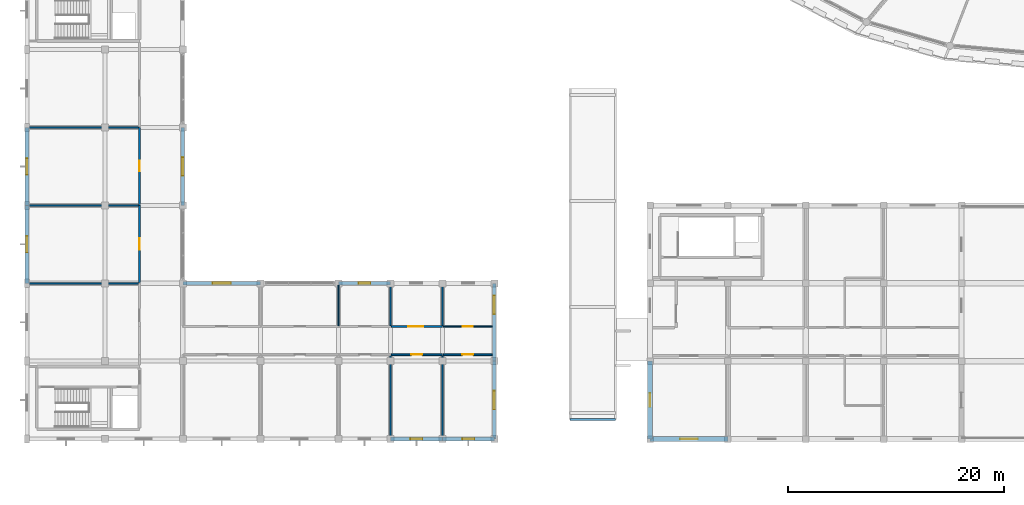
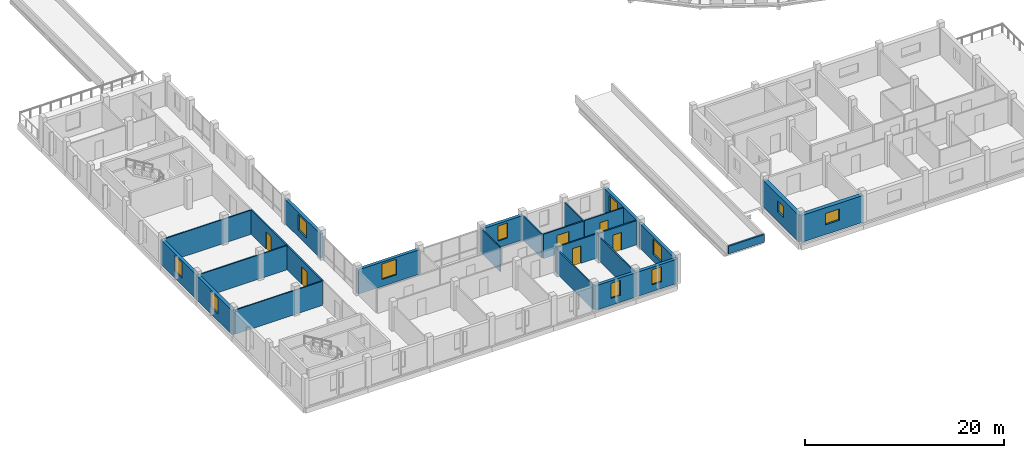
# One storey, part 72 of 93: 26 walls, 11 windows, 6 doors, 17 openings.
"""IFC4 building model written with IfcOpenShell, lengths in metres."""

import ifcopenshell
import ifcopenshell.guid

model = None  # the IFC model being written
_history = None  # IfcOwnerHistory: only IFC2X3 demands one
_inside = {}  # id of a spatial element -> (the spatial element, [elements in it])
_under = {}  # id of a project, library or spatial element -> (it, [spatial elements below it])
_declared = {}  # id of a project -> (the project, [libraries it declares])
_typed = {}  # id of a type object -> (the type object, [elements of that type])
_made_of = {}  # id of a material, layer set ... -> (it, [elements and type objects made of it])


def new_model(schema):
    """Start an empty IFC model of exactly this schema.

    Asked for "IFC4X3", IfcOpenShell would pick the latest addendum, in which some entities
    have other attributes; the version numbers below select the first issue.
    IFC2X3 requires an IfcOwnerHistory on every rooted entity: one is made here for all.
    """
    global model, _history
    if schema == "IFC4X3":
        model = ifcopenshell.file(schema_version=(4, 3, 0, 0))
    else:
        model = ifcopenshell.file(schema=schema)
    _inside.clear()
    _under.clear()
    _declared.clear()
    _typed.clear()
    _made_of.clear()
    _history = None
    if model.schema == "IFC2X3":
        org = make("IfcOrganization", Name="unknown")
        user = make(
            "IfcPersonAndOrganization",
            ThePerson=make("IfcPerson", FamilyName="unknown"),
            TheOrganization=org,
        )
        app = make(
            "IfcApplication",
            ApplicationDeveloper=org,
            Version="unknown",
            ApplicationFullName="unknown",
            ApplicationIdentifier="unknown",
        )
        _history = make(
            "IfcOwnerHistory",
            OwningUser=user,
            OwningApplication=app,
            ChangeAction="ADDED",
            CreationDate=0,
        )
    return model


def make(cls, **values):
    """One entity of the class cls with the attributes given. An attribute that is None is left unset."""
    return model.create_entity(
        cls, **{name: value for name, value in values.items() if value is not None}
    )


def rooted(cls, **values):
    """An entity with a GlobalId (a new one), such as an element, a storey or a relation."""
    return make(cls, GlobalId=ifcopenshell.guid.new(), OwnerHistory=_history, **values)


def si_unit(unit_type, name, prefix=None):
    """IfcSIUnit, for example si_unit("LENGTHUNIT", "METRE", prefix="MILLI")."""
    return make("IfcSIUnit", UnitType=unit_type, Prefix=prefix, Name=name)


def assignment(units):
    """IfcUnitAssignment: the units of a project."""
    return None if units is None else make("IfcUnitAssignment", Units=units)


def point(xyz):
    """IfcCartesianPoint."""
    return None if xyz is None else make("IfcCartesianPoint", Coordinates=xyz)


def direction(xyz):
    """IfcDirection."""
    return None if xyz is None else make("IfcDirection", DirectionRatios=xyz)


def frame(location, z_axis=None, x_axis=None):
    """IfcAxis2Placement3D, a coordinate frame: its origin and axes. An axis left out is left unset."""
    return make(
        "IfcAxis2Placement3D",
        Location=point(location),
        Axis=direction(z_axis),
        RefDirection=direction(x_axis),
    )


def frame_2d(location, x_axis=None):
    """IfcAxis2Placement2D, a coordinate frame in the plane: its origin and x axis."""
    return make(
        "IfcAxis2Placement2D", Location=point(location), RefDirection=direction(x_axis)
    )


def origin():
    """The frame at (0, 0, 0) with its axes left unset."""
    return frame((0.0, 0.0, 0.0))


def place(relative_to, where):
    """IfcLocalPlacement: puts the frame where relative to a parent placement (None: the world)."""
    return make(
        "IfcLocalPlacement", PlacementRelTo=relative_to, RelativePlacement=where
    )


def context(
    kind, dimensions, precision=None, world=None, true_north=None, identifier=None
):
    """IfcGeometricRepresentationContext, for example the 3D "Model" context."""
    return make(
        "IfcGeometricRepresentationContext",
        ContextIdentifier=identifier,
        ContextType=kind,
        CoordinateSpaceDimension=dimensions,
        Precision=precision,
        WorldCoordinateSystem=world,
        TrueNorth=true_north,
    )


def subcontext(parent, identifier, kind, view, scale=None):
    """IfcGeometricRepresentationSubContext, for example "Body" below "Model"."""
    return make(
        "IfcGeometricRepresentationSubContext",
        ContextIdentifier=identifier,
        ContextType=kind,
        ParentContext=parent,
        TargetScale=scale,
        TargetView=view,
    )


def project(units=None, contexts=None):
    """IfcProject with its units and contexts."""
    return rooted(
        "IfcProject",
        Name="project",
        RepresentationContexts=contexts,
        UnitsInContext=assignment(units),
    )


def spatial(cls, under=None, at=None, **own):
    """A site, building, storey or space (cls), placed at a placement, below another one or the project."""
    s = rooted(cls, ObjectPlacement=at, **own)
    if under is not None:
        _under.setdefault(under.id(), (under, []))[1].append(s)
    return s


def profile(cls, at=None, kind="AREA", **sizes):
    """A parametric profile (cls). Its sizes go by their IFC names, for example OverallWidth=200.0."""
    return make(cls, ProfileType=kind, Position=at, **sizes)


def rectangle(**sizes):
    """IfcRectangleProfileDef."""
    return profile("IfcRectangleProfileDef", **sizes)


def extrude(swept, where, along, depth):
    """IfcExtrudedAreaSolid: the profile swept, set in the frame where, extruded along a direction by depth."""
    return make(
        "IfcExtrudedAreaSolid",
        SweptArea=swept,
        Position=where,
        ExtrudedDirection=direction(along),
        Depth=depth,
    )


def shape(context_of_items, identifier, shape_type, items):
    """IfcShapeRepresentation: the items that make up one representation, for example the "Body"."""
    return make(
        "IfcShapeRepresentation",
        ContextOfItems=context_of_items,
        RepresentationIdentifier=identifier,
        RepresentationType=shape_type,
        Items=items,
    )


def material(Name=None, Category=None):
    """IfcMaterial."""
    return make("IfcMaterial", Name=Name, Category=Category)


def layer(
    of_material, thickness, ventilated=None, Name=None, Category=None, Priority=None
):
    """IfcMaterialLayer: one layer of a wall or slab, of a material (None: an air gap)."""
    return make(
        "IfcMaterialLayer",
        Material=of_material,
        LayerThickness=thickness,
        IsVentilated=ventilated,
        Name=Name,
        Category=Category,
        Priority=Priority,
    )


def layer_set(layers, Name=None):
    """IfcMaterialLayerSet."""
    return make("IfcMaterialLayerSet", MaterialLayers=layers, LayerSetName=Name)


def made_of(thing, what):
    """Note that an element or type object is made of a material, layer set ...; save() writes the relation."""
    if what is not None:
        _made_of.setdefault(what.id(), (what, []))[1].append(thing)
    return thing


def type_object(cls, material=None, **own):
    """A type object (cls), such as IfcWallType, which elements share."""
    return made_of(rooted(cls, **own), material)


def element(
    cls,
    number,
    at=None,
    inside=None,
    cuts=None,
    type_object=None,
    material=None,
    context=None,
    identifier="Body",
    shape_type=None,
    held_by="IfcProductDefinitionShape",
    body=None,
    shapes=None,
    **own,
):
    """One element of the class cls, such as IfcWall. Its Tag is "e" and its number.

    at: its placement. inside: the storey or other place that contains it. cuts: it is an
    opening in that element (IfcRelVoidsElement). A single representation is given by context,
    identifier, shape_type and body (its items); several are given by shapes. held_by: the class
    of the entity that holds the representations. save() writes the other relations.
    """
    e = rooted(cls, Tag="e%d" % number, ObjectPlacement=at, **own)
    if body is not None:
        shapes = [shape(context, identifier, shape_type, body)]
    if shapes is not None:
        e.Representation = make(held_by, Representations=shapes)
    if inside is not None:
        _inside.setdefault(inside.id(), (inside, []))[1].append(e)
    if cuts is not None:
        rooted(
            "IfcRelVoidsElement", RelatingBuildingElement=cuts, RelatedOpeningElement=e
        )
    if type_object is not None:
        _typed.setdefault(type_object.id(), (type_object, []))[1].append(e)
    return made_of(e, material)


def fill(opening, filler):
    """IfcRelFillsElement: the door or window that sits in an opening."""
    return rooted(
        "IfcRelFillsElement",
        RelatingOpeningElement=opening,
        RelatedBuildingElement=filler,
    )


def aggregate(whole, parts):
    """IfcRelAggregates: a whole, such as a stair, and the parts it consists of."""
    return rooted("IfcRelAggregates", RelatingObject=whole, RelatedObjects=parts)


def save(model, path):
    """Write the relations noted so far, then the file.

    IfcRelAggregates (storeys below a building ...), IfcRelContainedInSpatialStructure (elements
    in a storey), IfcRelDefinesByType, IfcRelAssociatesMaterial and IfcRelDeclares: one each for
    every whole, place, type object, material and project.
    """
    for whole, parts in _under.values():
        aggregate(whole, parts)
    for where, things in _inside.values():
        rooted(
            "IfcRelContainedInSpatialStructure",
            RelatedElements=things,
            RelatingStructure=where,
        )
    for kind, things in _typed.values():
        rooted("IfcRelDefinesByType", RelatedObjects=things, RelatingType=kind)
    for what, things in _made_of.values():
        rooted("IfcRelAssociatesMaterial", RelatedObjects=things, RelatingMaterial=what)
    for by, libraries in _declared.values():
        rooted("IfcRelDeclares", RelatingContext=by, RelatedDefinitions=libraries)
    model.write(path)


model = new_model("IFC4")

# Units and contexts
model_context = context("Model", 3, precision=1e-05, world=origin(), true_north=direction((0.0, 1.0)))
body_context = subcontext(model_context, "Body", "Model", "MODEL_VIEW")
ifc_project = project(units=[si_unit("LENGTHUNIT", "METRE"), si_unit("AREAUNIT", "SQUARE_METRE"), si_unit("VOLUMEUNIT", "CUBIC_METRE"), si_unit("PLANEANGLEUNIT", "RADIAN"), si_unit("MASSUNIT", "GRAM", prefix="KILO")], contexts=[model_context])

# Site, building, storey
site_placement = place(None, origin())
site = spatial("IfcSite", under=ifc_project, at=site_placement, CompositionType="ELEMENT")
building_placement = place(site_placement, origin())
building = spatial("IfcBuilding", under=site, at=building_placement, Name="Zornivar Specialist Clinic", CompositionType="ELEMENT")
storey_placement = place(building_placement, frame((0.0, 0.0, 8.39990234375)))
storey = spatial("IfcBuildingStorey", under=building, at=storey_placement, Name="L02", CompositionType="ELEMENT", Elevation=8.39990234375)

# Wall, opening, window
ifc_material_1 = material(Name="Masonry Red-Ochre Brick and Stone Insulated Wall", Category="masonry")
ifc_layer_1 = layer(ifc_material_1, 0.360107421875)
ifc_layer_set_1 = layer_set([ifc_layer_1], Name="Masonry Red-Ochre Brick and Stone Insulated Wall")
wall_type_1 = type_object("IfcWallType", Name="EW-BRICK-360", PredefinedType="SOLIDWALL", material=ifc_layer_set_1)
wall_1_placement = place(storey_placement, frame((33.60009765625, 0.0, 0.0), z_axis=(0.0, 0.0, 1.0), x_axis=(1.0, 0.0, 0.0)))
wall_1 = element("IfcWall", 1, at=wall_1_placement, inside=storey, type_object=wall_type_1, Name="ew:V2:L02:05", PredefinedType="SOLIDWALL", context=body_context, shape_type="SweptSolid", body=[
    extrude(rectangle(XDim=4.7998046875, YDim=0.360107421875, at=frame_2d((2.39990234375, 0.0))), origin(), (0.0, 0.0, 1.0), 3.0),
])
opening_1_placement = place(wall_1_placement, frame((1.85009765625, 0.0, 0.85009765625)))
opening_1 = element("IfcOpeningElement", 2, at=opening_1_placement, cuts=wall_1, Name="Opening W-07", PredefinedType="OPENING", context=body_context, shape_type="SweptSolid", body=[
    extrude(rectangle(XDim=1.10009765625, YDim=1.85009765625, at=frame_2d((0.550048828125, 0.925048828125))), frame((0.0, 0.18994140625, 0.0), z_axis=(0.0, -1.0, 0.0), x_axis=(1.0, 0.0, 0.0)), (0.0, 0.0, 1.0), 0.380126953125),
])
ifc_material_2 = material(Name="Triple-Glazed Aluminium-Timber Window Glass", Category="wood")
window_type_1 = type_object("IfcWindowType", Name="WIN-OUTP-PIER-1100x1850", PartitioningType="SINGLE_PANEL", PredefinedType="WINDOW", material=ifc_material_2)
window_1_placement = place(opening_1_placement, origin())
window_1 = element("IfcWindow", 3, at=window_1_placement, inside=storey, type_object=window_type_1, Name="win:V2:L02:05", OverallHeight=1.85009765625, OverallWidth=1.10009765625, PartitioningType="SINGLE_PANEL", PredefinedType="WINDOW", context=body_context, shape_type="SweptSolid", body=[
    extrude(rectangle(XDim=1.10009765625, YDim=1.85009765625, at=frame_2d((0.550048828125, 0.925048828125))), frame((0.0, 0.030029296875, 0.0), z_axis=(0.0, -1.0, 0.0), x_axis=(1.0, 0.0, 0.0)), (0.0, 0.0, 1.0), 0.06005859375),
])
fill(opening_1, window_1)

wall_2_placement = place(storey_placement, frame((38.39990234375, 0.0, 0.0), z_axis=(0.0, 0.0, 1.0), x_axis=(1.0, 0.0, 0.0)))
wall_2 = element("IfcWall", 4, at=wall_2_placement, inside=storey, type_object=wall_type_1, Name="ew:V2:L02:06", PredefinedType="SOLIDWALL", context=body_context, shape_type="SweptSolid", body=[
    extrude(rectangle(XDim=4.800048828125, YDim=0.360107421875, at=frame_2d((2.39990234375, 0.0))), origin(), (0.0, 0.0, 1.0), 3.0),
])
opening_2_placement = place(wall_2_placement, frame((1.85009765625, 0.0, 0.85009765625)))
opening_2 = element("IfcOpeningElement", 5, at=opening_2_placement, cuts=wall_2, Name="Opening W-07", PredefinedType="OPENING", context=body_context, shape_type="SweptSolid", body=[
    extrude(rectangle(XDim=1.10009765625, YDim=1.85009765625, at=frame_2d((0.550048828125, 0.925048828125))), frame((0.0, 0.18994140625, 0.0), z_axis=(0.0, -1.0, 0.0), x_axis=(1.0, 0.0, 0.0)), (0.0, 0.0, 1.0), 0.380126953125),
])
window_2_placement = place(opening_2_placement, origin())
window_2 = element("IfcWindow", 6, at=window_2_placement, inside=storey, type_object=window_type_1, Name="win:V2:L02:06", OverallHeight=1.85009765625, OverallWidth=1.10009765625, PartitioningType="SINGLE_PANEL", PredefinedType="WINDOW", context=body_context, shape_type="SweptSolid", body=[
    extrude(rectangle(XDim=1.10009765625, YDim=1.85009765625, at=frame_2d((0.550048828125, 0.925048828125))), frame((0.0, 0.030029296875, 0.0), z_axis=(0.0, -1.0, 0.0), x_axis=(1.0, 0.0, 0.0)), (0.0, 0.0, 1.0), 0.06005859375),
])
fill(opening_2, window_2)

wall_3_placement = place(storey_placement, frame((43.199951171875, 0.0, 0.0), z_axis=(0.0, 0.0, 1.0), x_axis=(0.0, 1.0, 0.0)))
wall_3 = element("IfcWall", 7, at=wall_3_placement, inside=storey, type_object=wall_type_1, Name="ew:V2:L02:07", PredefinedType="SOLIDWALL", context=body_context, shape_type="SweptSolid", body=[
    extrude(rectangle(XDim=7.199951171875, YDim=0.360107421875, at=frame_2d((3.60009765625, 0.0))), origin(), (0.0, 0.0, 1.0), 3.0),
])
opening_3_placement = place(wall_3_placement, frame((2.75, 0.0, 0.85009765625)))
opening_3 = element("IfcOpeningElement", 8, at=opening_3_placement, cuts=wall_3, Name="Opening W-06", PredefinedType="OPENING", context=body_context, shape_type="SweptSolid", body=[
    extrude(rectangle(XDim=1.699951171875, YDim=1.89990234375, at=frame_2d((0.85009765625, 0.949951171875))), frame((0.0, 0.18994140625, 0.0), z_axis=(0.0, -1.0, 0.0), x_axis=(1.0, 0.0, 0.0)), (0.0, 0.0, 1.0), 0.380126953125),
])
ifc_material_3 = material(Name="Triple-Glazed Aluminium-Timber Window Glass", Category="wood")
window_type_2 = type_object("IfcWindowType", Name="WIN-OUTP-COURT-1700x1900", PartitioningType="SINGLE_PANEL", PredefinedType="WINDOW", material=ifc_material_3)
window_3_placement = place(opening_3_placement, origin())
window_3 = element("IfcWindow", 9, at=window_3_placement, inside=storey, type_object=window_type_2, Name="win:V2:L02:07", OverallHeight=1.89990234375, OverallWidth=1.699951171875, PartitioningType="SINGLE_PANEL", PredefinedType="WINDOW", context=body_context, shape_type="SweptSolid", body=[
    extrude(rectangle(XDim=1.699951171875, YDim=1.89990234375, at=frame_2d((0.85009765625, 0.949951171875))), frame((0.0, 0.030029296875, 0.0), z_axis=(0.0, -1.0, 0.0), x_axis=(1.0, 0.0, 0.0)), (0.0, 0.0, 1.0), 0.06005859375),
])
fill(opening_3, window_3)

wall_4_placement = place(storey_placement, frame((43.199951171875, 7.199951171875, 0.0), z_axis=(0.0, 0.0, 1.0), x_axis=(0.0, 1.0, 0.0)))
wall_4 = element("IfcWall", 10, at=wall_4_placement, inside=storey, type_object=wall_type_1, Name="ew:V2:L02:08", PredefinedType="SOLIDWALL", context=body_context, shape_type="SweptSolid", body=[
    extrude(rectangle(XDim=7.199951171875, YDim=0.360107421875, at=frame_2d((3.60009765625, 0.0))), origin(), (0.0, 0.0, 1.0), 3.0),
])
opening_4_placement = place(wall_4_placement, frame((4.35009765625, 0.0, 0.85009765625)))
opening_4 = element("IfcOpeningElement", 11, at=opening_4_placement, cuts=wall_4, Name="Opening W-06", PredefinedType="OPENING", context=body_context, shape_type="SweptSolid", body=[
    extrude(rectangle(XDim=1.699951171875, YDim=1.89990234375, at=frame_2d((0.85009765625, 0.949951171875))), frame((0.0, 0.18994140625, 0.0), z_axis=(0.0, -1.0, 0.0), x_axis=(1.0, 0.0, 0.0)), (0.0, 0.0, 1.0), 0.380126953125),
])
window_4_placement = place(opening_4_placement, origin())
window_4 = element("IfcWindow", 12, at=window_4_placement, inside=storey, type_object=window_type_2, Name="win:V2:L02:08", OverallHeight=1.89990234375, OverallWidth=1.699951171875, PartitioningType="SINGLE_PANEL", PredefinedType="WINDOW", context=body_context, shape_type="SweptSolid", body=[
    extrude(rectangle(XDim=1.699951171875, YDim=1.89990234375, at=frame_2d((0.85009765625, 0.949951171875))), frame((0.0, 0.030029296875, 0.0), z_axis=(0.0, -1.0, 0.0), x_axis=(1.0, 0.0, 0.0)), (0.0, 0.0, 1.0), 0.06005859375),
])
fill(opening_4, window_4)

wall_5_placement = place(storey_placement, frame((33.60009765625, 14.39990234375, 0.0), z_axis=(0.0, 0.0, 1.0), x_axis=(-1.0, 0.0, 0.0)))
wall_5 = element("IfcWall", 13, at=wall_5_placement, inside=storey, type_object=wall_type_1, Name="ew:V2:L02:11", PredefinedType="SOLIDWALL", context=body_context, shape_type="SweptSolid", body=[
    extrude(rectangle(XDim=4.800048828125, YDim=0.360107421875, at=frame_2d((2.39990234375, 0.0))), origin(), (0.0, 0.0, 1.0), 3.0),
])
opening_5_placement = place(wall_5_placement, frame((1.85009765625, 0.0, 0.85009765625)))
opening_5 = element("IfcOpeningElement", 14, at=opening_5_placement, cuts=wall_5, Name="Opening W-07", PredefinedType="OPENING", context=body_context, shape_type="SweptSolid", body=[
    extrude(rectangle(XDim=1.10009765625, YDim=1.85009765625, at=frame_2d((0.550048828125, 0.925048828125))), frame((0.0, 0.18994140625, 0.0), z_axis=(0.0, -1.0, 0.0), x_axis=(1.0, 0.0, 0.0)), (0.0, 0.0, 1.0), 0.380126953125),
])
window_5_placement = place(opening_5_placement, origin())
window_5 = element("IfcWindow", 15, at=window_5_placement, inside=storey, type_object=window_type_1, Name="win:V2:L02:11", OverallHeight=1.85009765625, OverallWidth=1.10009765625, PartitioningType="SINGLE_PANEL", PredefinedType="WINDOW", context=body_context, shape_type="SweptSolid", body=[
    extrude(rectangle(XDim=1.10009765625, YDim=1.85009765625, at=frame_2d((0.550048828125, 0.925048828125))), frame((0.0, 0.030029296875, 0.0), z_axis=(0.0, -1.0, 0.0), x_axis=(1.0, 0.0, 0.0)), (0.0, 0.0, 1.0), 0.06005859375),
])
fill(opening_5, window_5)

wall_6_placement = place(storey_placement, frame((21.60009765625, 14.39990234375, 0.0), z_axis=(0.0, 0.0, 1.0), x_axis=(-1.0, 0.0, 0.0)))
wall_6 = element("IfcWall", 16, at=wall_6_placement, inside=storey, type_object=wall_type_1, Name="ew:V2:L02:13", PredefinedType="SOLIDWALL", context=body_context, shape_type="SweptSolid", body=[
    extrude(rectangle(XDim=7.2001953125, YDim=0.360107421875, at=frame_2d((3.60009765625, 0.0))), origin(), (0.0, 0.0, 1.0), 3.0),
])
opening_6_placement = place(wall_6_placement, frame((2.75, 0.0, 0.85009765625)))
opening_6 = element("IfcOpeningElement", 17, at=opening_6_placement, cuts=wall_6, Name="Opening W-06", PredefinedType="OPENING", context=body_context, shape_type="SweptSolid", body=[
    extrude(rectangle(XDim=1.699951171875, YDim=1.89990234375, at=frame_2d((0.85009765625, 0.949951171875))), frame((0.0, 0.18994140625, 0.0), z_axis=(0.0, -1.0, 0.0), x_axis=(1.0, 0.0, 0.0)), (0.0, 0.0, 1.0), 0.380126953125),
])
window_6_placement = place(opening_6_placement, origin())
window_6 = element("IfcWindow", 18, at=window_6_placement, inside=storey, type_object=window_type_2, Name="win:V2:L02:13", OverallHeight=1.89990234375, OverallWidth=1.699951171875, PartitioningType="SINGLE_PANEL", PredefinedType="WINDOW", context=body_context, shape_type="SweptSolid", body=[
    extrude(rectangle(XDim=1.699951171875, YDim=1.89990234375, at=frame_2d((0.85009765625, 0.949951171875))), frame((0.0, 0.030029296875, 0.0), z_axis=(0.0, -1.0, 0.0), x_axis=(1.0, 0.0, 0.0)), (0.0, 0.0, 1.0), 0.06005859375),
])
fill(opening_6, window_6)

wall_7_placement = place(storey_placement, frame((14.39990234375, 21.60009765625, 0.0), z_axis=(0.0, 0.0, 1.0), x_axis=(0.0, 1.0, 0.0)))
wall_7 = element("IfcWall", 19, at=wall_7_placement, inside=storey, type_object=wall_type_1, Name="ew:V2:L02:15", PredefinedType="SOLIDWALL", context=body_context, shape_type="SweptSolid", body=[
    extrude(rectangle(XDim=7.199951171875, YDim=0.360107421875, at=frame_2d((3.60009765625, 0.0))), origin(), (0.0, 0.0, 1.0), 3.0),
])
opening_7_placement = place(wall_7_placement, frame((2.75, 0.0, 0.85009765625)))
opening_7 = element("IfcOpeningElement", 20, at=opening_7_placement, cuts=wall_7, Name="Opening W-06", PredefinedType="OPENING", context=body_context, shape_type="SweptSolid", body=[
    extrude(rectangle(XDim=1.699951171875, YDim=1.89990234375, at=frame_2d((0.85009765625, 0.949951171875))), frame((0.0, 0.18994140625, 0.0), z_axis=(0.0, -1.0, 0.0), x_axis=(1.0, 0.0, 0.0)), (0.0, 0.0, 1.0), 0.380126953125),
])
window_7_placement = place(opening_7_placement, origin())
window_7 = element("IfcWindow", 21, at=window_7_placement, inside=storey, type_object=window_type_2, Name="win:V2:L02:15", OverallHeight=1.89990234375, OverallWidth=1.699951171875, PartitioningType="SINGLE_PANEL", PredefinedType="WINDOW", context=body_context, shape_type="SweptSolid", body=[
    extrude(rectangle(XDim=1.699951171875, YDim=1.89990234375, at=frame_2d((0.85009765625, 0.949951171875))), frame((0.0, 0.030029296875, 0.0), z_axis=(0.0, -1.0, 0.0), x_axis=(1.0, 0.0, 0.0)), (0.0, 0.0, 1.0), 0.06005859375),
])
fill(opening_7, window_7)

wall_8_placement = place(storey_placement, frame((0.0, 28.800048828125, 0.0), z_axis=(0.0, 0.0, 1.0), x_axis=(0.0, -1.0, 0.0)))
wall_8 = element("IfcWall", 22, at=wall_8_placement, inside=storey, type_object=wall_type_1, Name="ew:V2:L02:26", PredefinedType="SOLIDWALL", context=body_context, shape_type="SweptSolid", body=[
    extrude(rectangle(XDim=7.199951171875, YDim=0.360107421875, at=frame_2d((3.60009765625, 0.0))), origin(), (0.0, 0.0, 1.0), 3.0),
])
opening_8_placement = place(wall_8_placement, frame((2.85009765625, 0.0, 0.85009765625)))
opening_8 = element("IfcOpeningElement", 23, at=opening_8_placement, cuts=wall_8, Name="Opening W-05", PredefinedType="OPENING", context=body_context, shape_type="SweptSolid", body=[
    extrude(rectangle(XDim=1.5, YDim=1.89990234375, at=frame_2d((0.75, 0.949951171875))), frame((0.0, 0.18994140625, 0.0), z_axis=(0.0, -1.0, 0.0), x_axis=(1.0, 0.0, 0.0)), (0.0, 0.0, 1.0), 0.380126953125),
])
ifc_material_4 = material(Name="Triple-Glazed Aluminium-Timber Window Glass", Category="wood")
window_type_3 = type_object("IfcWindowType", Name="WIN-OUTP-STREET-1500x1900", PartitioningType="SINGLE_PANEL", PredefinedType="WINDOW", material=ifc_material_4)
window_8_placement = place(opening_8_placement, origin())
window_8 = element("IfcWindow", 24, at=window_8_placement, inside=storey, type_object=window_type_3, Name="win:V2:L02:26", OverallHeight=1.89990234375, OverallWidth=1.5, PartitioningType="SINGLE_PANEL", PredefinedType="WINDOW", context=body_context, shape_type="SweptSolid", body=[
    extrude(rectangle(XDim=1.5, YDim=1.89990234375, at=frame_2d((0.75, 0.949951171875))), frame((0.0, 0.030029296875, 0.0), z_axis=(0.0, -1.0, 0.0), x_axis=(1.0, 0.0, 0.0)), (0.0, 0.0, 1.0), 0.06005859375),
])
fill(opening_8, window_8)

wall_9_placement = place(storey_placement, frame((0.0, 21.60009765625, 0.0), z_axis=(0.0, 0.0, 1.0), x_axis=(0.0, -1.0, 0.0)))
wall_9 = element("IfcWall", 25, at=wall_9_placement, inside=storey, type_object=wall_type_1, Name="ew:V2:L02:27", PredefinedType="SOLIDWALL", context=body_context, shape_type="SweptSolid", body=[
    extrude(rectangle(XDim=7.2001953125, YDim=0.360107421875, at=frame_2d((3.60009765625, 0.0))), origin(), (0.0, 0.0, 1.0), 3.0),
])
opening_9_placement = place(wall_9_placement, frame((2.85009765625, 0.0, 0.85009765625)))
opening_9 = element("IfcOpeningElement", 26, at=opening_9_placement, cuts=wall_9, Name="Opening W-05", PredefinedType="OPENING", context=body_context, shape_type="SweptSolid", body=[
    extrude(rectangle(XDim=1.5, YDim=1.89990234375, at=frame_2d((0.75, 0.949951171875))), frame((0.0, 0.18994140625, 0.0), z_axis=(0.0, -1.0, 0.0), x_axis=(1.0, 0.0, 0.0)), (0.0, 0.0, 1.0), 0.380126953125),
])
window_9_placement = place(opening_9_placement, origin())
window_9 = element("IfcWindow", 27, at=window_9_placement, inside=storey, type_object=window_type_3, Name="win:V2:L02:27", OverallHeight=1.89990234375, OverallWidth=1.5, PartitioningType="SINGLE_PANEL", PredefinedType="WINDOW", context=body_context, shape_type="SweptSolid", body=[
    extrude(rectangle(XDim=1.5, YDim=1.89990234375, at=frame_2d((0.75, 0.949951171875))), frame((0.0, 0.030029296875, 0.0), z_axis=(0.0, -1.0, 0.0), x_axis=(1.0, 0.0, 0.0)), (0.0, 0.0, 1.0), 0.06005859375),
])
fill(opening_9, window_9)

ifc_material_5 = material(Name="Barium-shielded concrete C35/45", Category="concrete")
ifc_layer_2 = layer(ifc_material_5, 0.4599609375)
ifc_layer_set_2 = layer_set([ifc_layer_2], Name="Barium-shielded concrete C35/45")
wall_type_2 = type_object("IfcWallType", Name="EW-IMG-SHIELD-460", PredefinedType="SOLIDWALL", material=ifc_layer_set_2)
wall_10_placement = place(storey_placement, frame((57.60009765625, 0.0, 0.0), z_axis=(0.0, 0.0, 1.0), x_axis=(1.0, 0.0, 0.0)))
wall_10 = element("IfcWall", 28, at=wall_10_placement, inside=storey, type_object=wall_type_2, Name="ew:V3:L02:00", PredefinedType="SOLIDWALL", context=body_context, shape_type="SweptSolid", body=[
    extrude(rectangle(XDim=7.199951171875, YDim=0.4599609375, at=frame_2d((3.60009765625, 0.0))), origin(), (0.0, 0.0, 1.0), 3.300048828125),
])
opening_10_placement = place(wall_10_placement, frame((2.800048828125, 0.0, 1.199951171875)))
opening_10 = element("IfcOpeningElement", 29, at=opening_10_placement, cuts=wall_10, Name="Opening W-12", PredefinedType="OPENING", context=body_context, shape_type="SweptSolid", body=[
    extrude(rectangle(XDim=1.60009765625, YDim=1.39990234375, at=frame_2d((0.800048828125, 0.699951171875))), frame((0.0, 0.239990234375, 0.0), z_axis=(0.0, -1.0, 0.0), x_axis=(1.0, 0.0, 0.0)), (0.0, 0.0, 1.0), 0.47998046875),
])
ifc_material_6 = material(Name="Triple-Glazed Aluminium-Timber Window Glass", Category="wood")
window_type_4 = type_object("IfcWindowType", Name="WIN-IMG-SOUTH-1600x1400", PartitioningType="SINGLE_PANEL", PredefinedType="WINDOW", material=ifc_material_6)
window_10_placement = place(opening_10_placement, origin())
window_10 = element("IfcWindow", 30, at=window_10_placement, inside=storey, type_object=window_type_4, Name="win:V3:L02:00", OverallHeight=1.39990234375, OverallWidth=1.60009765625, PartitioningType="SINGLE_PANEL", PredefinedType="WINDOW", context=body_context, shape_type="SweptSolid", body=[
    extrude(rectangle(XDim=1.60009765625, YDim=1.39990234375, at=frame_2d((0.800048828125, 0.699951171875))), frame((0.0, 0.030029296875, 0.0), z_axis=(0.0, -1.0, 0.0), x_axis=(1.0, 0.0, 0.0)), (0.0, 0.0, 1.0), 0.06005859375),
])
fill(opening_10, window_10)

wall_11_placement = place(storey_placement, frame((57.60009765625, 7.199951171875, 0.0), z_axis=(0.0, 0.0, 1.0), x_axis=(0.0, -1.0, 0.0)))
wall_11 = element("IfcWall", 31, at=wall_11_placement, inside=storey, type_object=wall_type_2, Name="ew:V3:L02:13", PredefinedType="SOLIDWALL", context=body_context, shape_type="SweptSolid", body=[
    extrude(rectangle(XDim=7.199951171875, YDim=0.4599609375, at=frame_2d((3.60009765625, 0.0))), origin(), (0.0, 0.0, 1.0), 3.300048828125),
])
opening_11_placement = place(wall_11_placement, frame((2.97509765625, 0.0, 1.199951171875)))
opening_11 = element("IfcOpeningElement", 32, at=opening_11_placement, cuts=wall_11, Name="Opening W-14", PredefinedType="OPENING", context=body_context, shape_type="SweptSolid", body=[
    extrude(rectangle(XDim=1.25, YDim=1.35009765625, at=frame_2d((0.625, 0.675048828125))), frame((0.0, 0.239990234375, 0.0), z_axis=(0.0, -1.0, 0.0), x_axis=(1.0, 0.0, 0.0)), (0.0, 0.0, 1.0), 0.47998046875),
])
ifc_material_7 = material(Name="Triple-Glazed Aluminium-Timber Window Glass", Category="wood")
window_type_5 = type_object("IfcWindowType", Name="WIN-IMG-CTRL-1250x1350", PartitioningType="SINGLE_PANEL", PredefinedType="WINDOW", material=ifc_material_7)
window_11_placement = place(opening_11_placement, origin())
window_11 = element("IfcWindow", 33, at=window_11_placement, inside=storey, type_object=window_type_5, Name="win:V3:L02:13", OverallHeight=1.35009765625, OverallWidth=1.25, PartitioningType="SINGLE_PANEL", PredefinedType="WINDOW", context=body_context, shape_type="SweptSolid", body=[
    extrude(rectangle(XDim=1.25, YDim=1.35009765625, at=frame_2d((0.625, 0.675048828125))), frame((0.0, 0.030029296875, 0.0), z_axis=(0.0, -1.0, 0.0), x_axis=(1.0, 0.0, 0.0)), (0.0, 0.0, 1.0), 0.06005859375),
])
fill(opening_11, window_11)

# Walls
ifc_material_8 = material(Name="Acoustic Clinical Stud Partition")
ifc_layer_3 = layer(ifc_material_8, 0.139892578125)
ifc_layer_set_3 = layer_set([ifc_layer_3], Name="Acoustic Clinical Stud Partition")
wall_type_3 = type_object("IfcWallType", Name="IW-CLIN-140", PredefinedType="PARTITIONING", material=ifc_layer_set_3)
for number, where, z_axis, x_axis, name in (
    (34, (0.195068359375, 14.39990234375, 0.0), (0.0, 0.0, 1.0), (1.0, 0.0, 0.0), "iw:L02:051"),
    (35, (0.195068359375, 21.60009765625, 0.0), (0.0, 0.0, 1.0), (1.0, 0.0, 0.0), "iw:L02:053"),
    (36, (0.195068359375, 28.800048828125, 0.0), (0.0, 0.0, 1.0), (1.0, 0.0, 0.0), "iw:L02:055"),
):
    element("IfcWall", number, at=place(storey_placement, frame(where, z_axis=z_axis, x_axis=x_axis)), inside=storey, type_object=wall_type_3, Name=name, PredefinedType="PARTITIONING", context=body_context, shape_type="SweptSolid", body=[
        extrude(rectangle(XDim=10.11083984375, YDim=0.139892578125, at=frame_2d((5.055419921875, 0.0))), origin(), (0.0, 0.0, 1.0), 2.97998046875),
    ])
wall_12_placement = place(storey_placement, frame((33.60009765625, 7.7060546875, 0.0), z_axis=(0.0, 0.0, 1.0), x_axis=(0.0, -1.0, 0.0)))
element("IfcWall", 37, at=wall_12_placement, inside=storey, type_object=wall_type_3, Name="iw:L02:075", PredefinedType="PARTITIONING", context=body_context, shape_type="SweptSolid", body=[
    extrude(rectangle(XDim=7.510986328125, YDim=0.139892578125, at=frame_2d((3.75537109375, 0.0))), origin(), (0.0, 0.0, 1.0), 2.97998046875),
])
wall_13_placement = place(storey_placement, frame((33.60009765625, 14.205078125, 0.0), z_axis=(0.0, 0.0, 1.0), x_axis=(0.0, -1.0, 0.0)))
element("IfcWall", 38, at=wall_13_placement, inside=storey, type_object=wall_type_3, Name="iw:L02:077", PredefinedType="PARTITIONING", context=body_context, shape_type="SweptSolid", body=[
    extrude(rectangle(XDim=3.711181640625, YDim=0.139892578125, at=frame_2d((1.85546875, 0.0))), origin(), (0.0, 0.0, 1.0), 2.97998046875),
])
wall_14_placement = place(storey_placement, frame((38.39990234375, 7.7060546875, 0.0), z_axis=(0.0, 0.0, 1.0), x_axis=(0.0, -1.0, 0.0)))
element("IfcWall", 39, at=wall_14_placement, inside=storey, type_object=wall_type_3, Name="iw:L02:079", PredefinedType="PARTITIONING", context=body_context, shape_type="SweptSolid", body=[
    extrude(rectangle(XDim=7.510986328125, YDim=0.139892578125, at=frame_2d((3.75537109375, 0.0))), origin(), (0.0, 0.0, 1.0), 2.97998046875),
])

# Wall, opening, door
ifc_material_9 = material(Name="Gypsum Fire-Rated Double Stud Partition")
ifc_layer_4 = layer(ifc_material_9, 0.159912109375)
ifc_layer_set_4 = layer_set([ifc_layer_4], Name="Gypsum Fire-Rated Double Stud Partition")
wall_type_4 = type_object("IfcWallType", Name="IW-CORR-EI60-160", PredefinedType="PARTITIONING", material=ifc_layer_set_4)
wall_15_placement = place(storey_placement, frame((10.39990234375, 21.60009765625, 0.0), z_axis=(0.0, 0.0, 1.0), x_axis=(0.0, -1.0, 0.0)))
wall_15 = element("IfcWall", 40, at=wall_15_placement, inside=storey, type_object=wall_type_4, Name="iw:L02:052", PredefinedType="PARTITIONING", context=body_context, shape_type="SweptSolid", body=[
    extrude(rectangle(XDim=7.1162109375, YDim=0.159912109375, at=frame_2d((3.55810546875, 0.0))), origin(), (0.0, 0.0, 1.0), 2.97998046875),
])
opening_12_placement = place(wall_15_placement, frame((3.032958984375, 0.0, 0.0)))
opening_12 = element("IfcOpeningElement", 41, at=opening_12_placement, cuts=wall_15, Name="Opening ID-03", PredefinedType="OPENING", context=body_context, shape_type="SweptSolid", body=[
    extrude(rectangle(XDim=1.050048828125, YDim=2.14990234375, at=frame_2d((0.52490234375, 1.074951171875))), frame((0.0, 0.08984375, 0.0), z_axis=(0.0, -1.0, 0.0), x_axis=(1.0, 0.0, 0.0)), (0.0, 0.0, 1.0), 0.179931640625),
])
ifc_material_10 = material(Name="Solid-Core Hygienic Laminate Timber Door", Category="wood")
door_type_1 = type_object("IfcDoorType", Name="ID-CONS-1050x2150", OperationType="NOTDEFINED", PredefinedType="DOOR", material=ifc_material_10)
door_1_placement = place(opening_12_placement, origin())
door_1 = element("IfcDoor", 42, at=door_1_placement, inside=storey, type_object=door_type_1, Name="door:space:V2:L02:rm:01", OperationType="SINGLE_SWING_RIGHT", OverallHeight=2.14990234375, OverallWidth=1.050048828125, PredefinedType="DOOR", context=body_context, shape_type="SweptSolid", body=[
    extrude(rectangle(XDim=1.050048828125, YDim=2.14990234375, at=frame_2d((0.52490234375, 1.074951171875))), frame((0.0, 0.02490234375, 0.0), z_axis=(0.0, -1.0, 0.0), x_axis=(1.0, 0.0, 0.0)), (0.0, 0.0, 1.0), 0.050048828125),
])
fill(opening_12, door_1)

wall_16_placement = place(storey_placement, frame((10.39990234375, 28.800048828125, 0.0), z_axis=(0.0, 0.0, 1.0), x_axis=(0.0, -1.0, 0.0)))
wall_16 = element("IfcWall", 43, at=wall_16_placement, inside=storey, type_object=wall_type_4, Name="iw:L02:054", PredefinedType="PARTITIONING", context=body_context, shape_type="SweptSolid", body=[
    extrude(rectangle(XDim=7.115966796875, YDim=0.159912109375, at=frame_2d((3.55810546875, 0.0))), origin(), (0.0, 0.0, 1.0), 2.97998046875),
])
opening_13_placement = place(wall_16_placement, frame((3.05810546875, 0.0, 0.0)))
opening_13 = element("IfcOpeningElement", 44, at=opening_13_placement, cuts=wall_16, Name="Opening ID-04", PredefinedType="OPENING", context=body_context, shape_type="SweptSolid", body=[
    extrude(rectangle(XDim=1.0, YDim=2.14990234375, at=frame_2d((0.5, 1.074951171875))), frame((0.0, 0.08984375, 0.0), z_axis=(0.0, -1.0, 0.0), x_axis=(1.0, 0.0, 0.0)), (0.0, 0.0, 1.0), 0.179931640625),
])
ifc_material_11 = material(Name="Solid-Core Hygienic Laminate Timber Door", Category="wood")
door_type_2 = type_object("IfcDoorType", Name="ID-EXAM-1000x2150", OperationType="NOTDEFINED", PredefinedType="DOOR", material=ifc_material_11)
door_2_placement = place(opening_13_placement, origin())
door_2 = element("IfcDoor", 45, at=door_2_placement, inside=storey, type_object=door_type_2, Name="door:space:V2:L02:rm:02", OperationType="SINGLE_SWING_LEFT", OverallHeight=2.14990234375, OverallWidth=1.0, PredefinedType="DOOR", context=body_context, shape_type="SweptSolid", body=[
    extrude(rectangle(XDim=1.0, YDim=2.14990234375, at=frame_2d((0.5, 1.074951171875))), frame((0.0, 0.02490234375, 0.0), z_axis=(0.0, -1.0, 0.0), x_axis=(1.0, 0.0, 0.0)), (0.0, 0.0, 1.0), 0.050048828125),
])
fill(opening_13, door_2)

wall_17_placement = place(storey_placement, frame((33.68408203125, 7.800048828125, 0.0), z_axis=(0.0, 0.0, 1.0), x_axis=(1.0, 0.0, 0.0)))
wall_17 = element("IfcWall", 46, at=wall_17_placement, inside=storey, type_object=wall_type_4, Name="iw:L02:078", PredefinedType="PARTITIONING", context=body_context, shape_type="SweptSolid", body=[
    extrude(rectangle(XDim=4.7158203125, YDim=0.159912109375, at=frame_2d((2.35791015625, 0.0))), origin(), (0.0, 0.0, 1.0), 2.97998046875),
])
opening_14_placement = place(wall_17_placement, frame((1.85791015625, 0.0, 0.0)))
opening_14 = element("IfcOpeningElement", 47, at=opening_14_placement, cuts=wall_17, Name="Opening ID-04", PredefinedType="OPENING", context=body_context, shape_type="SweptSolid", body=[
    extrude(rectangle(XDim=1.0, YDim=2.14990234375, at=frame_2d((0.5, 1.074951171875))), frame((0.0, 0.08984375, 0.0), z_axis=(0.0, -1.0, 0.0), x_axis=(1.0, 0.0, 0.0)), (0.0, 0.0, 1.0), 0.179931640625),
])
door_3_placement = place(opening_14_placement, origin())
door_3 = element("IfcDoor", 48, at=door_3_placement, inside=storey, type_object=door_type_2, Name="door:space:V2:L02:rm:13", OperationType="SINGLE_SWING_RIGHT", OverallHeight=2.14990234375, OverallWidth=1.0, PredefinedType="DOOR", context=body_context, shape_type="SweptSolid", body=[
    extrude(rectangle(XDim=1.0, YDim=2.14990234375, at=frame_2d((0.5, 1.074951171875))), frame((0.0, 0.02490234375, 0.0), z_axis=(0.0, -1.0, 0.0), x_axis=(1.0, 0.0, 0.0)), (0.0, 0.0, 1.0), 0.050048828125),
])
fill(opening_14, door_3)

wall_18_placement = place(storey_placement, frame((38.39990234375, 10.39990234375, 0.0), z_axis=(0.0, 0.0, 1.0), x_axis=(-1.0, 0.0, 0.0)))
wall_18 = element("IfcWall", 49, at=wall_18_placement, inside=storey, type_object=wall_type_4, Name="iw:L02:080", PredefinedType="PARTITIONING", context=body_context, shape_type="SweptSolid", body=[
    extrude(rectangle(XDim=4.7158203125, YDim=0.159912109375, at=frame_2d((2.35791015625, 0.0))), origin(), (0.0, 0.0, 1.0), 2.97998046875),
])
opening_15_placement = place(wall_18_placement, frame((1.764892578125, 0.0, 0.0)))
opening_15 = element("IfcOpeningElement", 50, at=opening_15_placement, cuts=wall_18, Name="Opening ID-12", PredefinedType="OPENING", context=body_context, shape_type="SweptSolid", body=[
    extrude(rectangle(XDim=1.39990234375, YDim=2.300048828125, at=frame_2d((0.699951171875, 1.14990234375))), frame((0.0, 0.08984375, 0.0), z_axis=(0.0, -1.0, 0.0), x_axis=(1.0, 0.0, 0.0)), (0.0, 0.0, 1.0), 0.179931640625),
])
ifc_material_12 = material(Name="Solid-Core Hygienic Laminate Timber Door", Category="wood")
door_type_3 = type_object("IfcDoorType", Name="ID-WAIT-1400x2300", OperationType="NOTDEFINED", PredefinedType="DOOR", material=ifc_material_12)
door_4_placement = place(opening_15_placement, origin())
door_4 = element("IfcDoor", 51, at=door_4_placement, inside=storey, type_object=door_type_3, Name="door:space:V2:L02:rm:14", OperationType="DOUBLE_DOOR_SINGLE_SWING", OverallHeight=2.300048828125, OverallWidth=1.39990234375, PredefinedType="DOOR", context=body_context, shape_type="SweptSolid", body=[
    extrude(rectangle(XDim=1.39990234375, YDim=2.300048828125, at=frame_2d((0.699951171875, 1.14990234375))), frame((0.0, 0.02490234375, 0.0), z_axis=(0.0, -1.0, 0.0), x_axis=(1.0, 0.0, 0.0)), (0.0, 0.0, 1.0), 0.050048828125),
])
fill(opening_15, door_4)

wall_19_placement = place(storey_placement, frame((38.48388671875, 7.800048828125, 0.0), z_axis=(0.0, 0.0, 1.0), x_axis=(1.0, 0.0, 0.0)))
wall_19 = element("IfcWall", 52, at=wall_19_placement, inside=storey, type_object=wall_type_4, Name="iw:L02:082", PredefinedType="PARTITIONING", context=body_context, shape_type="SweptSolid", body=[
    extrude(rectangle(XDim=4.52099609375, YDim=0.159912109375, at=frame_2d((2.260498046875, 0.0))), origin(), (0.0, 0.0, 1.0), 2.97998046875),
])
opening_16_placement = place(wall_19_placement, frame((1.760986328125, 0.0, 0.0)))
opening_16 = element("IfcOpeningElement", 53, at=opening_16_placement, cuts=wall_19, Name="Opening ID-04", PredefinedType="OPENING", context=body_context, shape_type="SweptSolid", body=[
    extrude(rectangle(XDim=1.0, YDim=2.14990234375, at=frame_2d((0.5, 1.074951171875))), frame((0.0, 0.08984375, 0.0), z_axis=(0.0, -1.0, 0.0), x_axis=(1.0, 0.0, 0.0)), (0.0, 0.0, 1.0), 0.179931640625),
])
door_5_placement = place(opening_16_placement, origin())
door_5 = element("IfcDoor", 54, at=door_5_placement, inside=storey, type_object=door_type_2, Name="door:space:V2:L02:rm:15", OperationType="SINGLE_SWING_RIGHT", OverallHeight=2.14990234375, OverallWidth=1.0, PredefinedType="DOOR", context=body_context, shape_type="SweptSolid", body=[
    extrude(rectangle(XDim=1.0, YDim=2.14990234375, at=frame_2d((0.5, 1.074951171875))), frame((0.0, 0.02490234375, 0.0), z_axis=(0.0, -1.0, 0.0), x_axis=(1.0, 0.0, 0.0)), (0.0, 0.0, 1.0), 0.050048828125),
])
fill(opening_16, door_5)

# Walls
ifc_material_13 = material(Name="Acoustic Sub-Waiting Alcove Partition")
ifc_layer_5 = layer(ifc_material_13, 0.110107421875)
ifc_layer_set_5 = layer_set([ifc_layer_5], Name="Acoustic Sub-Waiting Alcove Partition")
wall_type_5 = type_object("IfcWallType", Name="IW-SUBWAIT-110", PredefinedType="PARTITIONING", material=ifc_layer_set_5)
wall_20_placement = place(storey_placement, frame((28.800048828125, 14.205078125, 0.0), z_axis=(0.0, 0.0, 1.0), x_axis=(0.0, -1.0, 0.0)))
element("IfcWall", 55, at=wall_20_placement, inside=storey, type_object=wall_type_5, Name="iw:L02:073", PredefinedType="PARTITIONING", context=body_context, shape_type="SweptSolid", body=[
    extrude(rectangle(XDim=3.711181640625, YDim=0.110107421875, at=frame_2d((1.85546875, 0.0))), origin(), (0.0, 0.0, 1.0), 2.97998046875),
])
ifc_material_14 = material(Name="Moisture-Resistant Sanitary Partition")
ifc_layer_6 = layer(ifc_material_14, 0.1298828125)
ifc_layer_set_6 = layer_set([ifc_layer_6], Name="Moisture-Resistant Sanitary Partition")
wall_type_6 = type_object("IfcWallType", Name="IW-WET-130", PredefinedType="PARTITIONING", material=ifc_layer_set_6)
wall_21_placement = place(storey_placement, frame((38.39990234375, 14.205078125, 0.0), z_axis=(0.0, 0.0, 1.0), x_axis=(0.0, -1.0, 0.0)))
element("IfcWall", 56, at=wall_21_placement, inside=storey, type_object=wall_type_6, Name="iw:L02:081", PredefinedType="PARTITIONING", context=body_context, shape_type="SweptSolid", body=[
    extrude(rectangle(XDim=3.711181640625, YDim=0.1298828125, at=frame_2d((1.85546875, 0.0))), origin(), (0.0, 0.0, 1.0), 2.97998046875),
])

# Wall, opening, door
wall_22_placement = place(storey_placement, frame((43.0048828125, 10.39990234375, 0.0), z_axis=(0.0, 0.0, 1.0), x_axis=(-1.0, 0.0, 0.0)))
wall_22 = element("IfcWall", 57, at=wall_22_placement, inside=storey, type_object=wall_type_6, Name="iw:L02:083", PredefinedType="PARTITIONING", context=body_context, shape_type="SweptSolid", body=[
    extrude(rectangle(XDim=4.52587890625, YDim=0.1298828125, at=frame_2d((2.262939453125, 0.0))), origin(), (0.0, 0.0, 1.0), 2.97998046875),
])
opening_17_placement = place(wall_22_placement, frame((1.7880859375, 0.0, 0.0)))
opening_17 = element("IfcOpeningElement", 58, at=opening_17_placement, cuts=wall_22, Name="Opening ID-07", PredefinedType="OPENING", context=body_context, shape_type="SweptSolid", body=[
    extrude(rectangle(XDim=0.949951171875, YDim=2.10009765625, at=frame_2d((0.47509765625, 1.050048828125))), frame((0.0, 0.074951171875, 0.0), z_axis=(0.0, -1.0, 0.0), x_axis=(1.0, 0.0, 0.0)), (0.0, 0.0, 1.0), 0.14990234375),
])
ifc_material_15 = material(Name="Solid-Core Hygienic Laminate Timber Door", Category="wood")
door_type_4 = type_object("IfcDoorType", Name="ID-WC-ACC-0950x2100", OperationType="NOTDEFINED", PredefinedType="DOOR", material=ifc_material_15)
door_6_placement = place(opening_17_placement, origin())
door_6 = element("IfcDoor", 59, at=door_6_placement, inside=storey, type_object=door_type_4, Name="door:space:V2:L02:rm:16", OperationType="SINGLE_SWING_LEFT", OverallHeight=2.10009765625, OverallWidth=0.949951171875, PredefinedType="DOOR", context=body_context, shape_type="SweptSolid", body=[
    extrude(rectangle(XDim=0.949951171875, YDim=2.10009765625, at=frame_2d((0.47509765625, 1.050048828125))), frame((0.0, 0.02490234375, 0.0), z_axis=(0.0, -1.0, 0.0), x_axis=(1.0, 0.0, 0.0)), (0.0, 0.0, 1.0), 0.050048828125),
])
fill(opening_17, door_6)

# Wall
ifc_material_16 = material(Name="Masonry Zinc-Capped Bridge Parapet", Category="masonry")
ifc_layer_7 = layer(ifc_material_16, 0.199951171875)
ifc_layer_set_7 = layer_set([ifc_layer_7], Name="Masonry Zinc-Capped Bridge Parapet")
wall_type_7 = type_object("IfcWallType", Name="PW-PARAPET-200", PredefinedType="PARAPET", material=ifc_layer_set_7)
wall_23_placement = place(storey_placement, frame((50.199951171875, 1.800048828125, 0.0), z_axis=(0.0, 0.0, 1.0), x_axis=(1.0, 0.0, 0.0)))
element("IfcWall", 60, at=wall_23_placement, inside=storey, type_object=wall_type_7, Name="pw:BR1:L02:0", PredefinedType="PARAPET", context=body_context, shape_type="SweptSolid", body=[
    extrude(rectangle(XDim=4.199951171875, YDim=0.199951171875, at=frame_2d((2.10009765625, 0.0))), origin(), (0.0, 0.0, 1.0), 0.9501953125),
])

save(model, "model.ifc")
